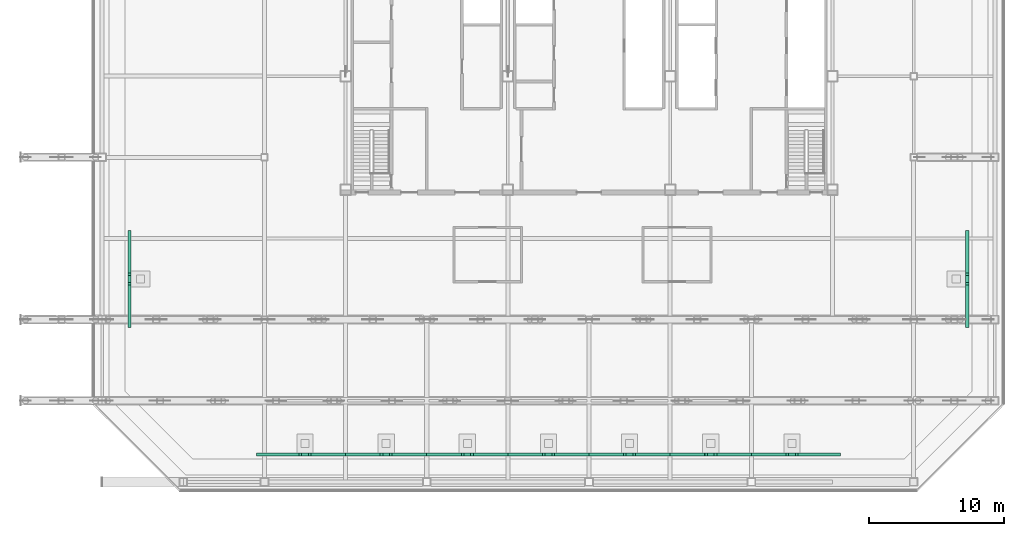
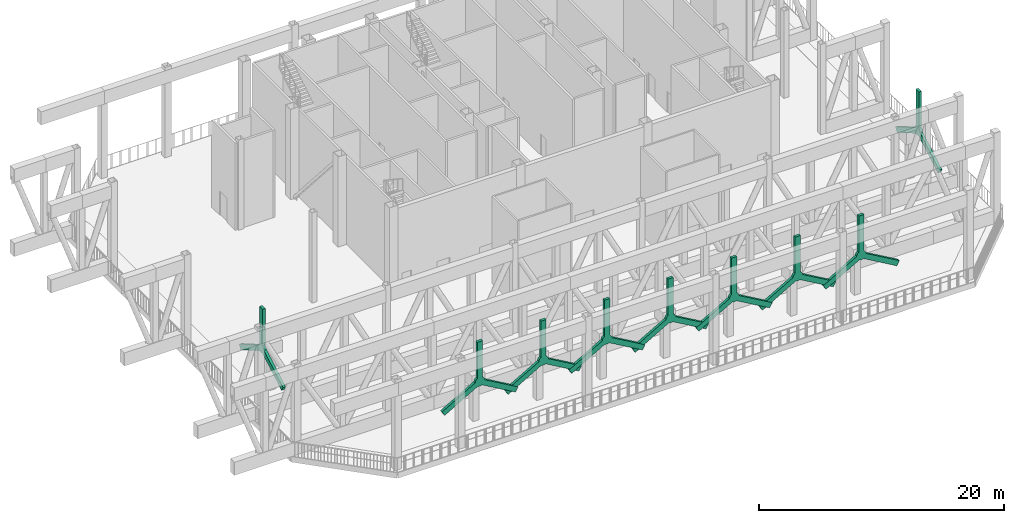
# One storey, part 22 of 22: 9 electric generators.
"""IFC4 building model written with IfcOpenShell, lengths in metres."""

from ifc_helpers import new_model, si_unit, direction, frame, origin, place, context, subcontext, project, spatial, polyline, outline, extrude, material, type_object, element, save


model = new_model("IFC4")

# Units and contexts
model_context = context("Model", 3, precision=1e-05, world=origin(), true_north=direction((0.0, 1.0)))
body_context = subcontext(model_context, "Body", "Model", "MODEL_VIEW")
ifc_project = project(units=[si_unit("LENGTHUNIT", "METRE"), si_unit("AREAUNIT", "SQUARE_METRE"), si_unit("VOLUMEUNIT", "CUBIC_METRE"), si_unit("PLANEANGLEUNIT", "RADIAN"), si_unit("MASSUNIT", "GRAM", prefix="KILO")], contexts=[model_context])

# Site, building, storey
site_placement = place(None, origin())
site = spatial("IfcSite", under=ifc_project, at=site_placement, CompositionType="ELEMENT")
building_placement = place(site_placement, origin())
building = spatial("IfcBuilding", under=site, at=building_placement, Name="Sorahane Residences", CompositionType="ELEMENT")
storey_placement = place(building_placement, frame((0.0, 0.0, 281.800048828125)))
storey = spatial("IfcBuildingStorey", under=building, at=storey_placement, Name="L67", CompositionType="ELEMENT", Elevation=281.800048828125)

# Electric generators
ifc_material = material(Name="Black powder-coated aluminium rotor", Category="aluminium")
electric_generator_type = type_object("IfcElectricGeneratorType", Name="Wind generator three-blade horizontal-axis 8000", PredefinedType="STANDALONE", material=ifc_material)
for number, where, z_axis, x_axis, name in (
    (1, (51.85009765625, 15.0, 4.300048828125), (1.0, 0.0, 0.0), (0.0, 1.0, 0.0), "Wind generator L67-01"),
    (2, (3.0, 1.89990234375, 4.300048828125), (0.0, 1.0, 0.0), (-1.0, 0.0, 0.0), "Wind generator L67-02"),
    (3, (9.0, 1.89990234375, 4.300048828125), (0.0, 1.0, 0.0), (-1.0, 0.0, 0.0), "Wind generator L67-03"),
    (4, (15.0, 1.89990234375, 4.300048828125), (0.0, 1.0, 0.0), (-1.0, 0.0, 0.0), "Wind generator L67-04"),
    (5, (21.0, 1.89990234375, 4.300048828125), (0.0, 1.0, 0.0), (-1.0, 0.0, 0.0), "Wind generator L67-05"),
    (6, (27.0, 1.89990234375, 4.300048828125), (0.0, 1.0, 0.0), (-1.0, 0.0, 0.0), "Wind generator L67-06"),
    (7, (33.0, 1.89990234375, 4.300048828125), (0.0, 1.0, 0.0), (-1.0, 0.0, 0.0), "Wind generator L67-07"),
    (8, (39.0, 1.89990234375, 4.300048828125), (0.0, 1.0, 0.0), (-1.0, 0.0, 0.0), "Wind generator L67-08"),
    (9, (-10.10009765625, 15.0, 4.300048828125), (1.0, 0.0, 0.0), (0.0, 1.0, 0.0), "Wind generator L67-09"),
):
    element("IfcElectricGenerator", number, at=place(storey_placement, frame(where, z_axis=z_axis, x_axis=x_axis)), inside=storey, type_object=electric_generator_type, Name=name, PredefinedType="STANDALONE", context=body_context, shape_type="SweptSolid", body=[
        extrude(outline(polyline([(3.339111328125, -2.216552734375), (0.198486328125, -0.4033203125), (0.172119140625, -0.415771484375), (0.130615234375, -0.4306640625), (0.087890625, -0.44140625), (0.044189453125, -0.44775390625), (0.0, -0.449951171875), (-0.044189453125, -0.44775390625), (-0.087890625, -0.44140625), (-0.130615234375, -0.4306640625), (-0.172119140625, -0.415771484375), (-0.198486328125, -0.4033203125), (-3.339111328125, -2.216552734375), (-3.589111328125, -1.783447265625), (-0.448486328125, 0.02978515625), (-0.44775390625, 0.044189453125), (-0.44140625, 0.087890625), (-0.4306640625, 0.130615234375), (-0.415771484375, 0.172119140625), (-0.39697265625, 0.212158203125), (-0.374267578125, 0.25), (-0.347900390625, 0.285400390625), (-0.318115234375, 0.318115234375), (-0.285400390625, 0.347900390625), (-0.25, 0.374267578125), (-0.25, 0.374267578125), (-0.25, 4.0), (0.25, 4.0), (0.25, 0.374267578125), (0.25, 0.374267578125), (0.285400390625, 0.347900390625), (0.318115234375, 0.318115234375), (0.347900390625, 0.285400390625), (0.374267578125, 0.25), (0.39697265625, 0.212158203125), (0.415771484375, 0.172119140625), (0.4306640625, 0.130615234375), (0.44140625, 0.087890625), (0.44775390625, 0.044189453125), (0.448486328125, 0.02978515625), (3.589111328125, -1.783447265625), (3.339111328125, -2.216552734375)])), origin(), (0.0, 0.0, 1.0), 0.25),
    ])

save(model, "model.ifc")
